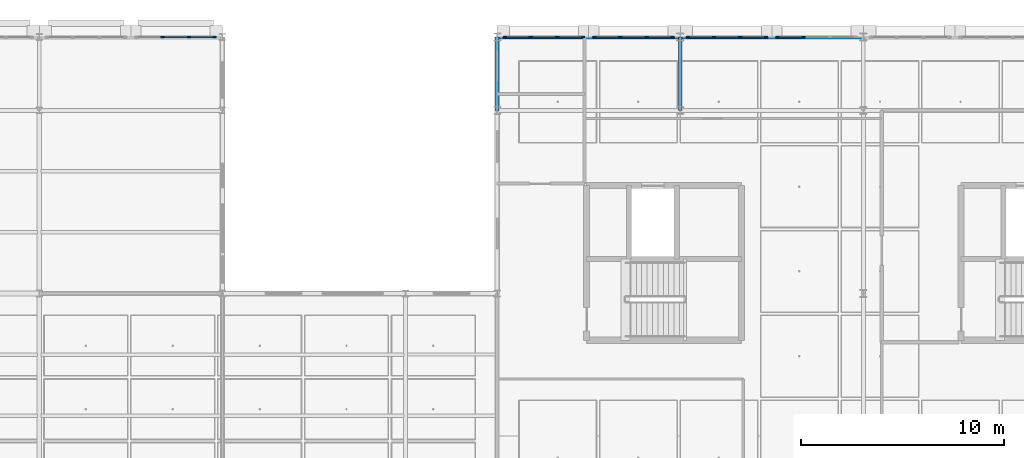
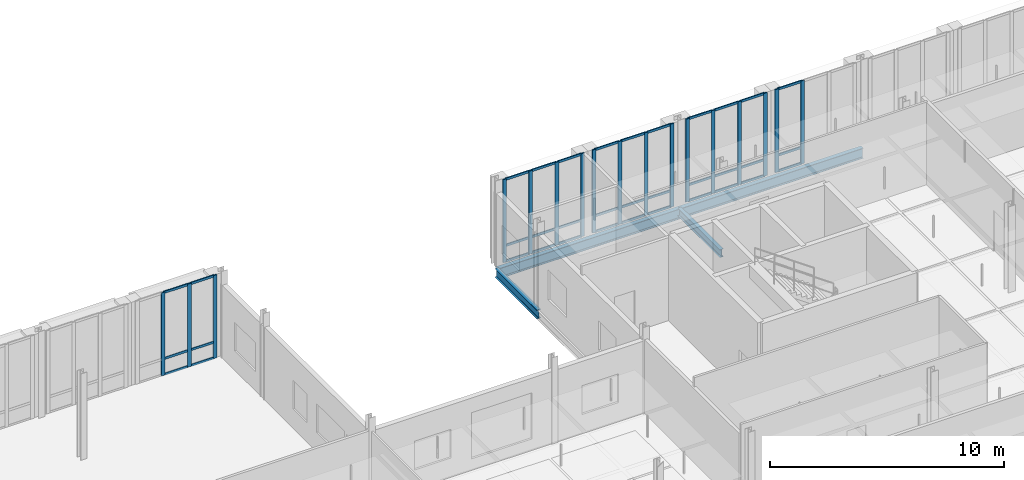
# One storey, part 45 of 130: 53 members, 4 beams, 5 elements without a shape of their own.
"""IFC4 building model written with IfcOpenShell, lengths in metres."""

from ifc_helpers import new_model, si_unit, direction, frame, origin, origin_2d, place, context, subcontext, project, spatial, rectangle, i_section, extrude, material, material_profile, profile_set, type_object, element, aggregate, save


model = new_model("IFC4")

# Units and contexts
model_context = context("Model", 3, precision=1e-05, world=origin(), true_north=direction((0.0, 1.0)))
body_context = subcontext(model_context, "Body", "Model", "MODEL_VIEW")
ifc_project = project(units=[si_unit("LENGTHUNIT", "METRE"), si_unit("AREAUNIT", "SQUARE_METRE"), si_unit("VOLUMEUNIT", "CUBIC_METRE"), si_unit("PLANEANGLEUNIT", "RADIAN"), si_unit("MASSUNIT", "GRAM", prefix="KILO"), si_unit("THERMODYNAMICTEMPERATUREUNIT", "KELVIN"), si_unit("POWERUNIT", "WATT")], contexts=[model_context])

# Site, building, storey
site_placement = place(None, origin())
site = spatial("IfcSite", under=ifc_project, at=site_placement, CompositionType="ELEMENT")
building_placement = place(site_placement, origin())
building = spatial("IfcBuilding", under=site, at=building_placement, Name="Tallowbark Science Centre", CompositionType="ELEMENT")
storey_placement = place(building_placement, frame((0.0, 0.0, 5.39990234375)))
storey = spatial("IfcBuildingStorey", under=building, at=storey_placement, Name="L01", CompositionType="ELEMENT", Elevation=5.39990234375)

# Beam
ifc_material_1 = material(Name="Structural Steel Grade 300PLUS (300 MPa)", Category="steel")
ifc_material_profile_1 = material_profile(ifc_material_1, i_section(OverallWidth=0.177734375, OverallDepth=0.406494140625, WebThickness=0.0078125, FlangeThickness=0.0126953125, FilletRadius=0.011474609375, at=origin_2d()), Name="410UB59.7")
ifc_profile_set_1 = profile_set([ifc_material_profile_1], Name="Structural Steel Grade 300PLUS (300 MPa)")
beam_type_1 = type_object("IfcBeamType", Name="BM-UB410", PredefinedType="BEAM", material=ifc_profile_set_1)
beam_1_placement = place(storey_placement, frame((121.5, 108.0, -0.383056640625), z_axis=(0.0, 1.0, 0.0), x_axis=(-1.0, 0.0, 0.0)))
element("IfcBeam", 1, at=beam_1_placement, inside=storey, type_object=beam_type_1, Name="Primary Girder GRDY-L01-1215-1080-1116", PredefinedType="BEAM", context=body_context, shape_type="SweptSolid", body=[
    extrude(i_section(OverallWidth=0.177734375, OverallDepth=0.406494140625, WebThickness=0.0078125, FlangeThickness=0.0126953125, FilletRadius=0.011474609375, at=origin_2d()), origin(), (0.0, 0.0, 1.0), 3.60009765625),
])

# Curtain wall, members
ifc_material_2 = material(Name="Unitised Thermally Broken Aluminium and Low-E Double Glazing", Category="aluminium")
curtain_wall_type = type_object("IfcCurtainWallType", Name="CW-SYS-FACADE", PredefinedType="NOTDEFINED", material=ifc_material_2)
curtain_wall_1_placement = place(storey_placement, origin())
curtain_wall_1 = element("IfcCurtainWall", 2, at=curtain_wall_1_placement, inside=storey, type_object=curtain_wall_type, Name="Unitised Curtain Wall CAF-N-90A CW-L01-057", PredefinedType="NOTDEFINED")
ifc_material_3 = material(Name="Anodised Architectural Aluminium Alloy 6063-T6", Category="aluminium")
ifc_material_profile_2 = material_profile(ifc_material_3, rectangle(XDim=0.06494140625, YDim=0.179931640625, at=origin_2d()), Name="ALU65x180")
ifc_profile_set_2 = profile_set([ifc_material_profile_2], Name="Anodised Architectural Aluminium Alloy 6063-T6")
member_type_1 = type_object("IfcMemberType", Name="CWM-MUL-220", PredefinedType="MULLION", material=ifc_profile_set_2)
member_1_placement = place(storey_placement, frame((98.617431640625, 111.60009765625, 0.0), z_axis=(0.0, 0.0, 1.0), x_axis=(0.0, -1.0, 0.0)))
member_1 = element("IfcMember", 3, at=member_1_placement, type_object=member_type_1, Name="CW-01 mullion 1", PredefinedType="MULLION", context=body_context, shape_type="SweptSolid", body=[
    extrude(rectangle(XDim=0.06494140625, YDim=0.179931640625, at=origin_2d()), origin(), (0.0, 0.0, 1.0), 4.320068359375),
])
member_2_placement = place(storey_placement, frame((97.35009765625, 111.60009765625, 0.0), z_axis=(0.0, 0.0, 1.0), x_axis=(0.0, -1.0, 0.0)))
member_2 = element("IfcMember", 4, at=member_2_placement, type_object=member_type_1, Name="CW-01 mullion 2", PredefinedType="MULLION", context=body_context, shape_type="SweptSolid", body=[
    extrude(rectangle(XDim=0.06494140625, YDim=0.179931640625, at=origin_2d()), origin(), (0.0, 0.0, 1.0), 4.320068359375),
])
member_3_placement = place(storey_placement, frame((96.050048828125, 111.60009765625, 0.0), z_axis=(0.0, 0.0, 1.0), x_axis=(0.0, -1.0, 0.0)))
member_3 = element("IfcMember", 5, at=member_3_placement, type_object=member_type_1, Name="CW-01 mullion 3", PredefinedType="MULLION", context=body_context, shape_type="SweptSolid", body=[
    extrude(rectangle(XDim=0.06494140625, YDim=0.179931640625, at=origin_2d()), origin(), (0.0, 0.0, 1.0), 4.320068359375),
])

curtain_wall_2_placement = place(storey_placement, origin())
curtain_wall_2 = element("IfcCurtainWall", 6, at=curtain_wall_2_placement, inside=storey, type_object=curtain_wall_type, Name="Unitised Curtain Wall OBS-N-112A CW-L01-114", PredefinedType="NOTDEFINED")
member_4_placement = place(storey_placement, frame((121.117431640625, 111.60009765625, 0.0), z_axis=(0.0, 0.0, 1.0), x_axis=(0.0, -1.0, 0.0)))
member_4 = element("IfcMember", 7, at=member_4_placement, type_object=member_type_1, Name="CW-01 mullion 1", PredefinedType="MULLION", context=body_context, shape_type="SweptSolid", body=[
    extrude(rectangle(XDim=0.06494140625, YDim=0.179931640625, at=origin_2d()), origin(), (0.0, 0.0, 1.0), 4.320068359375),
])
member_5_placement = place(storey_placement, frame((119.85009765625, 111.60009765625, 0.0), z_axis=(0.0, 0.0, 1.0), x_axis=(0.0, -1.0, 0.0)))
member_5 = element("IfcMember", 8, at=member_5_placement, type_object=member_type_1, Name="CW-01 mullion 2", PredefinedType="MULLION", context=body_context, shape_type="SweptSolid", body=[
    extrude(rectangle(XDim=0.06494140625, YDim=0.179931640625, at=origin_2d()), origin(), (0.0, 0.0, 1.0), 4.320068359375),
])
member_6_placement = place(storey_placement, frame((118.550048828125, 111.60009765625, 0.0), z_axis=(0.0, 0.0, 1.0), x_axis=(0.0, -1.0, 0.0)))
member_6 = element("IfcMember", 9, at=member_6_placement, type_object=member_type_1, Name="CW-01 mullion 3", PredefinedType="MULLION", context=body_context, shape_type="SweptSolid", body=[
    extrude(rectangle(XDim=0.06494140625, YDim=0.179931640625, at=origin_2d()), origin(), (0.0, 0.0, 1.0), 4.320068359375),
])
member_7_placement = place(storey_placement, frame((117.282470703125, 111.60009765625, 0.0), z_axis=(0.0, 0.0, 1.0), x_axis=(0.0, -1.0, 0.0)))
member_7 = element("IfcMember", 10, at=member_7_placement, type_object=member_type_1, Name="CW-01 mullion 4", PredefinedType="MULLION", context=body_context, shape_type="SweptSolid", body=[
    extrude(rectangle(XDim=0.06494140625, YDim=0.179931640625, at=origin_2d()), origin(), (0.0, 0.0, 1.0), 4.320068359375),
])

curtain_wall_3_placement = place(storey_placement, origin())
curtain_wall_3 = element("IfcCurtainWall", 11, at=curtain_wall_3_placement, inside=storey, type_object=curtain_wall_type, Name="Unitised Curtain Wall OBS-N-112B CW-L01-115", PredefinedType="NOTDEFINED")
member_8_placement = place(storey_placement, frame((116.717529296875, 111.60009765625, 0.0), z_axis=(0.0, 0.0, 1.0), x_axis=(0.0, -1.0, 0.0)))
member_8 = element("IfcMember", 12, at=member_8_placement, type_object=member_type_1, Name="CW-01 mullion 1", PredefinedType="MULLION", context=body_context, shape_type="SweptSolid", body=[
    extrude(rectangle(XDim=0.06494140625, YDim=0.179931640625, at=origin_2d()), origin(), (0.0, 0.0, 1.0), 4.320068359375),
])
member_9_placement = place(storey_placement, frame((115.449951171875, 111.60009765625, 0.0), z_axis=(0.0, 0.0, 1.0), x_axis=(0.0, -1.0, 0.0)))
member_9 = element("IfcMember", 13, at=member_9_placement, type_object=member_type_1, Name="CW-01 mullion 2", PredefinedType="MULLION", context=body_context, shape_type="SweptSolid", body=[
    extrude(rectangle(XDim=0.06494140625, YDim=0.179931640625, at=origin_2d()), origin(), (0.0, 0.0, 1.0), 4.320068359375),
])
member_10_placement = place(storey_placement, frame((114.14990234375, 111.60009765625, 0.0), z_axis=(0.0, 0.0, 1.0), x_axis=(0.0, -1.0, 0.0)))
member_10 = element("IfcMember", 14, at=member_10_placement, type_object=member_type_1, Name="CW-01 mullion 3", PredefinedType="MULLION", context=body_context, shape_type="SweptSolid", body=[
    extrude(rectangle(XDim=0.06494140625, YDim=0.179931640625, at=origin_2d()), origin(), (0.0, 0.0, 1.0), 4.320068359375),
])
member_11_placement = place(storey_placement, frame((112.882568359375, 111.60009765625, 0.0), z_axis=(0.0, 0.0, 1.0), x_axis=(0.0, -1.0, 0.0)))
member_11 = element("IfcMember", 15, at=member_11_placement, type_object=member_type_1, Name="CW-01 mullion 4", PredefinedType="MULLION", context=body_context, shape_type="SweptSolid", body=[
    extrude(rectangle(XDim=0.06494140625, YDim=0.179931640625, at=origin_2d()), origin(), (0.0, 0.0, 1.0), 4.320068359375),
])

curtain_wall_4_placement = place(storey_placement, origin())
curtain_wall_4 = element("IfcCurtainWall", 16, at=curtain_wall_4_placement, inside=storey, type_object=curtain_wall_type, Name="Unitised Curtain Wall OBS-N-121A CW-L01-118", PredefinedType="NOTDEFINED")
member_12_placement = place(storey_placement, frame((127.550048828125, 111.60009765625, 0.0), z_axis=(0.0, 0.0, 1.0), x_axis=(0.0, -1.0, 0.0)))
member_12 = element("IfcMember", 17, at=member_12_placement, type_object=member_type_1, Name="CW-01 mullion 3", PredefinedType="MULLION", context=body_context, shape_type="SweptSolid", body=[
    extrude(rectangle(XDim=0.06494140625, YDim=0.179931640625, at=origin_2d()), origin(), (0.0, 0.0, 1.0), 4.320068359375),
])
member_13_placement = place(storey_placement, frame((126.282470703125, 111.60009765625, 0.0), z_axis=(0.0, 0.0, 1.0), x_axis=(0.0, -1.0, 0.0)))
member_13 = element("IfcMember", 18, at=member_13_placement, type_object=member_type_1, Name="CW-01 mullion 4", PredefinedType="MULLION", context=body_context, shape_type="SweptSolid", body=[
    extrude(rectangle(XDim=0.06494140625, YDim=0.179931640625, at=origin_2d()), origin(), (0.0, 0.0, 1.0), 4.320068359375),
])

curtain_wall_5_placement = place(storey_placement, origin())
curtain_wall_5 = element("IfcCurtainWall", 19, at=curtain_wall_5_placement, inside=storey, type_object=curtain_wall_type, Name="Unitised Curtain Wall OBS-N-121B CW-L01-119", PredefinedType="NOTDEFINED")
member_14_placement = place(storey_placement, frame((125.717529296875, 111.60009765625, 0.0), z_axis=(0.0, 0.0, 1.0), x_axis=(0.0, -1.0, 0.0)))
member_14 = element("IfcMember", 20, at=member_14_placement, type_object=member_type_1, Name="CW-01 mullion 1", PredefinedType="MULLION", context=body_context, shape_type="SweptSolid", body=[
    extrude(rectangle(XDim=0.06494140625, YDim=0.179931640625, at=origin_2d()), origin(), (0.0, 0.0, 1.0), 4.320068359375),
])
member_15_placement = place(storey_placement, frame((124.449951171875, 111.60009765625, 0.0), z_axis=(0.0, 0.0, 1.0), x_axis=(0.0, -1.0, 0.0)))
member_15 = element("IfcMember", 21, at=member_15_placement, type_object=member_type_1, Name="CW-01 mullion 2", PredefinedType="MULLION", context=body_context, shape_type="SweptSolid", body=[
    extrude(rectangle(XDim=0.06494140625, YDim=0.179931640625, at=origin_2d()), origin(), (0.0, 0.0, 1.0), 4.320068359375),
])
member_16_placement = place(storey_placement, frame((123.14990234375, 111.60009765625, 0.0), z_axis=(0.0, 0.0, 1.0), x_axis=(0.0, -1.0, 0.0)))
member_16 = element("IfcMember", 22, at=member_16_placement, type_object=member_type_1, Name="CW-01 mullion 3", PredefinedType="MULLION", context=body_context, shape_type="SweptSolid", body=[
    extrude(rectangle(XDim=0.06494140625, YDim=0.179931640625, at=origin_2d()), origin(), (0.0, 0.0, 1.0), 4.320068359375),
])
member_17_placement = place(storey_placement, frame((121.882568359375, 111.60009765625, 0.0), z_axis=(0.0, 0.0, 1.0), x_axis=(0.0, -1.0, 0.0)))
member_17 = element("IfcMember", 23, at=member_17_placement, type_object=member_type_1, Name="CW-01 mullion 4", PredefinedType="MULLION", context=body_context, shape_type="SweptSolid", body=[
    extrude(rectangle(XDim=0.06494140625, YDim=0.179931640625, at=origin_2d()), origin(), (0.0, 0.0, 1.0), 4.320068359375),
])

# Member
ifc_material_profile_3 = material_profile(ifc_material_3, rectangle(XDim=0.054931640625, YDim=0.1201171875, at=origin_2d()), Name="ALU55x120")
ifc_profile_set_3 = profile_set([ifc_material_profile_3], Name="Anodised Architectural Aluminium Alloy 6063-T6")
member_type_2 = type_object("IfcMemberType", Name="CWM-TRN-150", PredefinedType="USERDEFINED", material=ifc_profile_set_3)
member_18_placement = place(storey_placement, frame((98.5849609375, 111.60009765625, 0.027587890625), z_axis=(-1.0, 0.0, 0.0), x_axis=(0.0, -1.0, 0.0)))
member_18 = element("IfcMember", 24, at=member_18_placement, type_object=member_type_2, Name="CW-01 transom 1.1", ObjectType="TRANSOM", PredefinedType="USERDEFINED", context=body_context, shape_type="SweptSolid", body=[
    extrude(rectangle(XDim=0.054931640625, YDim=0.1201171875, at=origin_2d()), origin(), (0.0, 0.0, 1.0), 1.202392578125),
])

member_19_placement = place(storey_placement, frame((98.5849609375, 111.60009765625, 0.85009765625), z_axis=(-1.0, 0.0, 0.0), x_axis=(0.0, -1.0, 0.0)))
member_19 = element("IfcMember", 25, at=member_19_placement, type_object=member_type_2, Name="CW-01 transom 1.2", ObjectType="TRANSOM", PredefinedType="USERDEFINED", context=body_context, shape_type="SweptSolid", body=[
    extrude(rectangle(XDim=0.054931640625, YDim=0.1201171875, at=origin_2d()), origin(), (0.0, 0.0, 1.0), 1.202392578125),
])

member_20_placement = place(storey_placement, frame((98.5849609375, 111.60009765625, 4.29248046875), z_axis=(-1.0, 0.0, 0.0), x_axis=(0.0, -1.0, 0.0)))
member_20 = element("IfcMember", 26, at=member_20_placement, type_object=member_type_2, Name="CW-01 transom 1.3", ObjectType="TRANSOM", PredefinedType="USERDEFINED", context=body_context, shape_type="SweptSolid", body=[
    extrude(rectangle(XDim=0.054931640625, YDim=0.1201171875, at=origin_2d()), origin(), (0.0, 0.0, 1.0), 1.202392578125),
])

member_21_placement = place(storey_placement, frame((97.3173828125, 111.60009765625, 0.027587890625), z_axis=(-1.0, 0.0, 0.0), x_axis=(0.0, -1.0, 0.0)))
member_21 = element("IfcMember", 27, at=member_21_placement, type_object=member_type_2, Name="CW-01 transom 2.1", ObjectType="TRANSOM", PredefinedType="USERDEFINED", context=body_context, shape_type="SweptSolid", body=[
    extrude(rectangle(XDim=0.054931640625, YDim=0.1201171875, at=origin_2d()), origin(), (0.0, 0.0, 1.0), 1.23486328125),
])

member_22_placement = place(storey_placement, frame((97.3173828125, 111.60009765625, 0.85009765625), z_axis=(-1.0, 0.0, 0.0), x_axis=(0.0, -1.0, 0.0)))
member_22 = element("IfcMember", 28, at=member_22_placement, type_object=member_type_2, Name="CW-01 transom 2.2", ObjectType="TRANSOM", PredefinedType="USERDEFINED", context=body_context, shape_type="SweptSolid", body=[
    extrude(rectangle(XDim=0.054931640625, YDim=0.1201171875, at=origin_2d()), origin(), (0.0, 0.0, 1.0), 1.23486328125),
])

member_23_placement = place(storey_placement, frame((97.3173828125, 111.60009765625, 4.29248046875), z_axis=(-1.0, 0.0, 0.0), x_axis=(0.0, -1.0, 0.0)))
member_23 = element("IfcMember", 29, at=member_23_placement, type_object=member_type_2, Name="CW-01 transom 2.3", ObjectType="TRANSOM", PredefinedType="USERDEFINED", context=body_context, shape_type="SweptSolid", body=[
    extrude(rectangle(XDim=0.054931640625, YDim=0.1201171875, at=origin_2d()), origin(), (0.0, 0.0, 1.0), 1.23486328125),
])

aggregate(curtain_wall_1, [member_1, member_2, member_3, member_18, member_19, member_20, member_21, member_22, member_23])

member_24_placement = place(storey_placement, frame((121.0849609375, 111.60009765625, 0.027587890625), z_axis=(-1.0, 0.0, 0.0), x_axis=(0.0, -1.0, 0.0)))
member_24 = element("IfcMember", 30, at=member_24_placement, type_object=member_type_2, Name="CW-01 transom 1.1", ObjectType="TRANSOM", PredefinedType="USERDEFINED", context=body_context, shape_type="SweptSolid", body=[
    extrude(rectangle(XDim=0.054931640625, YDim=0.1201171875, at=origin_2d()), origin(), (0.0, 0.0, 1.0), 1.202392578125),
])

member_25_placement = place(storey_placement, frame((121.0849609375, 111.60009765625, 0.85009765625), z_axis=(-1.0, 0.0, 0.0), x_axis=(0.0, -1.0, 0.0)))
member_25 = element("IfcMember", 31, at=member_25_placement, type_object=member_type_2, Name="CW-01 transom 1.2", ObjectType="TRANSOM", PredefinedType="USERDEFINED", context=body_context, shape_type="SweptSolid", body=[
    extrude(rectangle(XDim=0.054931640625, YDim=0.1201171875, at=origin_2d()), origin(), (0.0, 0.0, 1.0), 1.202392578125),
])

member_26_placement = place(storey_placement, frame((121.0849609375, 111.60009765625, 4.29248046875), z_axis=(-1.0, 0.0, 0.0), x_axis=(0.0, -1.0, 0.0)))
member_26 = element("IfcMember", 32, at=member_26_placement, type_object=member_type_2, Name="CW-01 transom 1.3", ObjectType="TRANSOM", PredefinedType="USERDEFINED", context=body_context, shape_type="SweptSolid", body=[
    extrude(rectangle(XDim=0.054931640625, YDim=0.1201171875, at=origin_2d()), origin(), (0.0, 0.0, 1.0), 1.202392578125),
])

member_27_placement = place(storey_placement, frame((119.8173828125, 111.60009765625, 0.027587890625), z_axis=(-1.0, 0.0, 0.0), x_axis=(0.0, -1.0, 0.0)))
member_27 = element("IfcMember", 33, at=member_27_placement, type_object=member_type_2, Name="CW-01 transom 2.1", ObjectType="TRANSOM", PredefinedType="USERDEFINED", context=body_context, shape_type="SweptSolid", body=[
    extrude(rectangle(XDim=0.054931640625, YDim=0.1201171875, at=origin_2d()), origin(), (0.0, 0.0, 1.0), 1.23486328125),
])

member_28_placement = place(storey_placement, frame((119.8173828125, 111.60009765625, 0.85009765625), z_axis=(-1.0, 0.0, 0.0), x_axis=(0.0, -1.0, 0.0)))
member_28 = element("IfcMember", 34, at=member_28_placement, type_object=member_type_2, Name="CW-01 transom 2.2", ObjectType="TRANSOM", PredefinedType="USERDEFINED", context=body_context, shape_type="SweptSolid", body=[
    extrude(rectangle(XDim=0.054931640625, YDim=0.1201171875, at=origin_2d()), origin(), (0.0, 0.0, 1.0), 1.23486328125),
])

member_29_placement = place(storey_placement, frame((119.8173828125, 111.60009765625, 4.29248046875), z_axis=(-1.0, 0.0, 0.0), x_axis=(0.0, -1.0, 0.0)))
member_29 = element("IfcMember", 35, at=member_29_placement, type_object=member_type_2, Name="CW-01 transom 2.3", ObjectType="TRANSOM", PredefinedType="USERDEFINED", context=body_context, shape_type="SweptSolid", body=[
    extrude(rectangle(XDim=0.054931640625, YDim=0.1201171875, at=origin_2d()), origin(), (0.0, 0.0, 1.0), 1.23486328125),
])

member_30_placement = place(storey_placement, frame((118.517578125, 111.60009765625, 0.027587890625), z_axis=(-1.0, 0.0, 0.0), x_axis=(0.0, -1.0, 0.0)))
member_30 = element("IfcMember", 36, at=member_30_placement, type_object=member_type_2, Name="CW-01 transom 3.1", ObjectType="TRANSOM", PredefinedType="USERDEFINED", context=body_context, shape_type="SweptSolid", body=[
    extrude(rectangle(XDim=0.054931640625, YDim=0.1201171875, at=origin_2d()), origin(), (0.0, 0.0, 1.0), 1.20263671875),
])

member_31_placement = place(storey_placement, frame((118.517578125, 111.60009765625, 0.85009765625), z_axis=(-1.0, 0.0, 0.0), x_axis=(0.0, -1.0, 0.0)))
member_31 = element("IfcMember", 37, at=member_31_placement, type_object=member_type_2, Name="CW-01 transom 3.2", ObjectType="TRANSOM", PredefinedType="USERDEFINED", context=body_context, shape_type="SweptSolid", body=[
    extrude(rectangle(XDim=0.054931640625, YDim=0.1201171875, at=origin_2d()), origin(), (0.0, 0.0, 1.0), 1.20263671875),
])

member_32_placement = place(storey_placement, frame((118.517578125, 111.60009765625, 4.29248046875), z_axis=(-1.0, 0.0, 0.0), x_axis=(0.0, -1.0, 0.0)))
member_32 = element("IfcMember", 38, at=member_32_placement, type_object=member_type_2, Name="CW-01 transom 3.3", ObjectType="TRANSOM", PredefinedType="USERDEFINED", context=body_context, shape_type="SweptSolid", body=[
    extrude(rectangle(XDim=0.054931640625, YDim=0.1201171875, at=origin_2d()), origin(), (0.0, 0.0, 1.0), 1.20263671875),
])

aggregate(curtain_wall_2, [member_4, member_5, member_6, member_7, member_24, member_25, member_26, member_27, member_28, member_29, member_30, member_31, member_32])

member_33_placement = place(storey_placement, frame((116.68505859375, 111.60009765625, 0.027587890625), z_axis=(-1.0, 0.0, 0.0), x_axis=(0.0, -1.0, 0.0)))
member_33 = element("IfcMember", 39, at=member_33_placement, type_object=member_type_2, Name="CW-01 transom 1.1", ObjectType="TRANSOM", PredefinedType="USERDEFINED", context=body_context, shape_type="SweptSolid", body=[
    extrude(rectangle(XDim=0.054931640625, YDim=0.1201171875, at=origin_2d()), origin(), (0.0, 0.0, 1.0), 1.20263671875),
])

member_34_placement = place(storey_placement, frame((116.68505859375, 111.60009765625, 0.85009765625), z_axis=(-1.0, 0.0, 0.0), x_axis=(0.0, -1.0, 0.0)))
member_34 = element("IfcMember", 40, at=member_34_placement, type_object=member_type_2, Name="CW-01 transom 1.2", ObjectType="TRANSOM", PredefinedType="USERDEFINED", context=body_context, shape_type="SweptSolid", body=[
    extrude(rectangle(XDim=0.054931640625, YDim=0.1201171875, at=origin_2d()), origin(), (0.0, 0.0, 1.0), 1.20263671875),
])

member_35_placement = place(storey_placement, frame((116.68505859375, 111.60009765625, 4.29248046875), z_axis=(-1.0, 0.0, 0.0), x_axis=(0.0, -1.0, 0.0)))
member_35 = element("IfcMember", 41, at=member_35_placement, type_object=member_type_2, Name="CW-01 transom 1.3", ObjectType="TRANSOM", PredefinedType="USERDEFINED", context=body_context, shape_type="SweptSolid", body=[
    extrude(rectangle(XDim=0.054931640625, YDim=0.1201171875, at=origin_2d()), origin(), (0.0, 0.0, 1.0), 1.20263671875),
])

member_36_placement = place(storey_placement, frame((115.41748046875, 111.60009765625, 0.027587890625), z_axis=(-1.0, 0.0, 0.0), x_axis=(0.0, -1.0, 0.0)))
member_36 = element("IfcMember", 42, at=member_36_placement, type_object=member_type_2, Name="CW-01 transom 2.1", ObjectType="TRANSOM", PredefinedType="USERDEFINED", context=body_context, shape_type="SweptSolid", body=[
    extrude(rectangle(XDim=0.054931640625, YDim=0.1201171875, at=origin_2d()), origin(), (0.0, 0.0, 1.0), 1.23486328125),
])

member_37_placement = place(storey_placement, frame((115.41748046875, 111.60009765625, 0.85009765625), z_axis=(-1.0, 0.0, 0.0), x_axis=(0.0, -1.0, 0.0)))
member_37 = element("IfcMember", 43, at=member_37_placement, type_object=member_type_2, Name="CW-01 transom 2.2", ObjectType="TRANSOM", PredefinedType="USERDEFINED", context=body_context, shape_type="SweptSolid", body=[
    extrude(rectangle(XDim=0.054931640625, YDim=0.1201171875, at=origin_2d()), origin(), (0.0, 0.0, 1.0), 1.23486328125),
])

member_38_placement = place(storey_placement, frame((115.41748046875, 111.60009765625, 4.29248046875), z_axis=(-1.0, 0.0, 0.0), x_axis=(0.0, -1.0, 0.0)))
member_38 = element("IfcMember", 44, at=member_38_placement, type_object=member_type_2, Name="CW-01 transom 2.3", ObjectType="TRANSOM", PredefinedType="USERDEFINED", context=body_context, shape_type="SweptSolid", body=[
    extrude(rectangle(XDim=0.054931640625, YDim=0.1201171875, at=origin_2d()), origin(), (0.0, 0.0, 1.0), 1.23486328125),
])

member_39_placement = place(storey_placement, frame((114.117431640625, 111.60009765625, 0.027587890625), z_axis=(-1.0, 0.0, 0.0), x_axis=(0.0, -1.0, 0.0)))
member_39 = element("IfcMember", 45, at=member_39_placement, type_object=member_type_2, Name="CW-01 transom 3.1", ObjectType="TRANSOM", PredefinedType="USERDEFINED", context=body_context, shape_type="SweptSolid", body=[
    extrude(rectangle(XDim=0.054931640625, YDim=0.1201171875, at=origin_2d()), origin(), (0.0, 0.0, 1.0), 1.202392578125),
])

member_40_placement = place(storey_placement, frame((114.117431640625, 111.60009765625, 0.85009765625), z_axis=(-1.0, 0.0, 0.0), x_axis=(0.0, -1.0, 0.0)))
member_40 = element("IfcMember", 46, at=member_40_placement, type_object=member_type_2, Name="CW-01 transom 3.2", ObjectType="TRANSOM", PredefinedType="USERDEFINED", context=body_context, shape_type="SweptSolid", body=[
    extrude(rectangle(XDim=0.054931640625, YDim=0.1201171875, at=origin_2d()), origin(), (0.0, 0.0, 1.0), 1.202392578125),
])

member_41_placement = place(storey_placement, frame((114.117431640625, 111.60009765625, 4.29248046875), z_axis=(-1.0, 0.0, 0.0), x_axis=(0.0, -1.0, 0.0)))
member_41 = element("IfcMember", 47, at=member_41_placement, type_object=member_type_2, Name="CW-01 transom 3.3", ObjectType="TRANSOM", PredefinedType="USERDEFINED", context=body_context, shape_type="SweptSolid", body=[
    extrude(rectangle(XDim=0.054931640625, YDim=0.1201171875, at=origin_2d()), origin(), (0.0, 0.0, 1.0), 1.202392578125),
])

aggregate(curtain_wall_3, [member_8, member_9, member_10, member_11, member_33, member_34, member_35, member_36, member_37, member_38, member_39, member_40, member_41])

member_42_placement = place(storey_placement, frame((127.517578125, 111.60009765625, 0.027587890625), z_axis=(-1.0, 0.0, 0.0), x_axis=(0.0, -1.0, 0.0)))
member_42 = element("IfcMember", 48, at=member_42_placement, type_object=member_type_2, Name="CW-01 transom 3.1", ObjectType="TRANSOM", PredefinedType="USERDEFINED", context=body_context, shape_type="SweptSolid", body=[
    extrude(rectangle(XDim=0.054931640625, YDim=0.1201171875, at=origin_2d()), origin(), (0.0, 0.0, 1.0), 1.20263671875),
])

member_43_placement = place(storey_placement, frame((127.517578125, 111.60009765625, 0.85009765625), z_axis=(-1.0, 0.0, 0.0), x_axis=(0.0, -1.0, 0.0)))
member_43 = element("IfcMember", 49, at=member_43_placement, type_object=member_type_2, Name="CW-01 transom 3.2", ObjectType="TRANSOM", PredefinedType="USERDEFINED", context=body_context, shape_type="SweptSolid", body=[
    extrude(rectangle(XDim=0.054931640625, YDim=0.1201171875, at=origin_2d()), origin(), (0.0, 0.0, 1.0), 1.20263671875),
])

member_44_placement = place(storey_placement, frame((127.517578125, 111.60009765625, 4.29248046875), z_axis=(-1.0, 0.0, 0.0), x_axis=(0.0, -1.0, 0.0)))
member_44 = element("IfcMember", 50, at=member_44_placement, type_object=member_type_2, Name="CW-01 transom 3.3", ObjectType="TRANSOM", PredefinedType="USERDEFINED", context=body_context, shape_type="SweptSolid", body=[
    extrude(rectangle(XDim=0.054931640625, YDim=0.1201171875, at=origin_2d()), origin(), (0.0, 0.0, 1.0), 1.20263671875),
])

aggregate(curtain_wall_4, [member_12, member_13, member_42, member_43, member_44])

member_45_placement = place(storey_placement, frame((125.68505859375, 111.60009765625, 0.027587890625), z_axis=(-1.0, 0.0, 0.0), x_axis=(0.0, -1.0, 0.0)))
member_45 = element("IfcMember", 51, at=member_45_placement, type_object=member_type_2, Name="CW-01 transom 1.1", ObjectType="TRANSOM", PredefinedType="USERDEFINED", context=body_context, shape_type="SweptSolid", body=[
    extrude(rectangle(XDim=0.054931640625, YDim=0.1201171875, at=origin_2d()), origin(), (0.0, 0.0, 1.0), 1.20263671875),
])

member_46_placement = place(storey_placement, frame((125.68505859375, 111.60009765625, 0.85009765625), z_axis=(-1.0, 0.0, 0.0), x_axis=(0.0, -1.0, 0.0)))
member_46 = element("IfcMember", 52, at=member_46_placement, type_object=member_type_2, Name="CW-01 transom 1.2", ObjectType="TRANSOM", PredefinedType="USERDEFINED", context=body_context, shape_type="SweptSolid", body=[
    extrude(rectangle(XDim=0.054931640625, YDim=0.1201171875, at=origin_2d()), origin(), (0.0, 0.0, 1.0), 1.20263671875),
])

member_47_placement = place(storey_placement, frame((125.68505859375, 111.60009765625, 4.29248046875), z_axis=(-1.0, 0.0, 0.0), x_axis=(0.0, -1.0, 0.0)))
member_47 = element("IfcMember", 53, at=member_47_placement, type_object=member_type_2, Name="CW-01 transom 1.3", ObjectType="TRANSOM", PredefinedType="USERDEFINED", context=body_context, shape_type="SweptSolid", body=[
    extrude(rectangle(XDim=0.054931640625, YDim=0.1201171875, at=origin_2d()), origin(), (0.0, 0.0, 1.0), 1.20263671875),
])

member_48_placement = place(storey_placement, frame((124.41748046875, 111.60009765625, 0.027587890625), z_axis=(-1.0, 0.0, 0.0), x_axis=(0.0, -1.0, 0.0)))
member_48 = element("IfcMember", 54, at=member_48_placement, type_object=member_type_2, Name="CW-01 transom 2.1", ObjectType="TRANSOM", PredefinedType="USERDEFINED", context=body_context, shape_type="SweptSolid", body=[
    extrude(rectangle(XDim=0.054931640625, YDim=0.1201171875, at=origin_2d()), origin(), (0.0, 0.0, 1.0), 1.23486328125),
])

member_49_placement = place(storey_placement, frame((124.41748046875, 111.60009765625, 0.85009765625), z_axis=(-1.0, 0.0, 0.0), x_axis=(0.0, -1.0, 0.0)))
member_49 = element("IfcMember", 55, at=member_49_placement, type_object=member_type_2, Name="CW-01 transom 2.2", ObjectType="TRANSOM", PredefinedType="USERDEFINED", context=body_context, shape_type="SweptSolid", body=[
    extrude(rectangle(XDim=0.054931640625, YDim=0.1201171875, at=origin_2d()), origin(), (0.0, 0.0, 1.0), 1.23486328125),
])

member_50_placement = place(storey_placement, frame((124.41748046875, 111.60009765625, 4.29248046875), z_axis=(-1.0, 0.0, 0.0), x_axis=(0.0, -1.0, 0.0)))
member_50 = element("IfcMember", 56, at=member_50_placement, type_object=member_type_2, Name="CW-01 transom 2.3", ObjectType="TRANSOM", PredefinedType="USERDEFINED", context=body_context, shape_type="SweptSolid", body=[
    extrude(rectangle(XDim=0.054931640625, YDim=0.1201171875, at=origin_2d()), origin(), (0.0, 0.0, 1.0), 1.23486328125),
])

member_51_placement = place(storey_placement, frame((123.117431640625, 111.60009765625, 0.027587890625), z_axis=(-1.0, 0.0, 0.0), x_axis=(0.0, -1.0, 0.0)))
member_51 = element("IfcMember", 57, at=member_51_placement, type_object=member_type_2, Name="CW-01 transom 3.1", ObjectType="TRANSOM", PredefinedType="USERDEFINED", context=body_context, shape_type="SweptSolid", body=[
    extrude(rectangle(XDim=0.054931640625, YDim=0.1201171875, at=origin_2d()), origin(), (0.0, 0.0, 1.0), 1.202392578125),
])

member_52_placement = place(storey_placement, frame((123.117431640625, 111.60009765625, 0.85009765625), z_axis=(-1.0, 0.0, 0.0), x_axis=(0.0, -1.0, 0.0)))
member_52 = element("IfcMember", 58, at=member_52_placement, type_object=member_type_2, Name="CW-01 transom 3.2", ObjectType="TRANSOM", PredefinedType="USERDEFINED", context=body_context, shape_type="SweptSolid", body=[
    extrude(rectangle(XDim=0.054931640625, YDim=0.1201171875, at=origin_2d()), origin(), (0.0, 0.0, 1.0), 1.202392578125),
])

member_53_placement = place(storey_placement, frame((123.117431640625, 111.60009765625, 4.29248046875), z_axis=(-1.0, 0.0, 0.0), x_axis=(0.0, -1.0, 0.0)))
member_53 = element("IfcMember", 59, at=member_53_placement, type_object=member_type_2, Name="CW-01 transom 3.3", ObjectType="TRANSOM", PredefinedType="USERDEFINED", context=body_context, shape_type="SweptSolid", body=[
    extrude(rectangle(XDim=0.054931640625, YDim=0.1201171875, at=origin_2d()), origin(), (0.0, 0.0, 1.0), 1.202392578125),
])

aggregate(curtain_wall_5, [member_14, member_15, member_16, member_17, member_45, member_46, member_47, member_48, member_49, member_50, member_51, member_52, member_53])

# Beams
ifc_material_profile_4 = material_profile(ifc_material_1, i_section(OverallWidth=0.208984375, OverallDepth=0.532958984375, WebThickness=0.01025390625, FlangeThickness=0.015625, FilletRadius=0.013916015625, at=origin_2d()), Name="530UB92.4")
ifc_profile_set_4 = profile_set([ifc_material_profile_4], Name="Structural Steel Grade 300PLUS (300 MPa)")
beam_type_2 = type_object("IfcBeamType", Name="LNT-UB530", PredefinedType="LINTEL", material=ifc_profile_set_4)
for number, where, z_axis, x_axis, name in (
    (60, (112.5, 111.60009765625, -0.4462890625), (1.0, 0.0, 0.0), (0.0, 1.0, 0.0), "Primary Girder GRDX-L01-1125-1215-1116"),
    (61, (121.5, 111.60009765625, -0.4462890625), (1.0, 0.0, 0.0), (0.0, 1.0, 0.0), "Primary Girder GRDX-L01-1215-1305-1116"),
):
    element("IfcBeam", number, at=place(storey_placement, frame(where, z_axis=z_axis, x_axis=x_axis)), inside=storey, type_object=beam_type_2, Name=name, PredefinedType="LINTEL", context=body_context, shape_type="SweptSolid", body=[
        extrude(i_section(OverallWidth=0.208984375, OverallDepth=0.532958984375, WebThickness=0.01025390625, FlangeThickness=0.015625, FilletRadius=0.013916015625, at=origin_2d()), origin(), (0.0, 0.0, 1.0), 9.0),
    ])
ifc_material_profile_5 = material_profile(ifc_material_1, i_section(OverallWidth=0.18994140625, OverallDepth=0.453857421875, WebThickness=0.008544921875, FlangeThickness=0.0126953125, FilletRadius=0.011474609375, at=origin_2d()), Name="460UB67.1")
ifc_profile_set_5 = profile_set([ifc_material_profile_5], Name="Structural Steel Grade 300PLUS (300 MPa)")
beam_type_3 = type_object("IfcBeamType", Name="SPN-UB460", PredefinedType="SPANDREL", material=ifc_profile_set_5)
beam_2_placement = place(storey_placement, frame((112.5, 108.0, -0.40673828125), z_axis=(0.0, 1.0, 0.0), x_axis=(-1.0, 0.0, 0.0)))
element("IfcBeam", 62, at=beam_2_placement, inside=storey, type_object=beam_type_3, Name="Primary Girder GRDY-L01-1125-1080-1116", PredefinedType="SPANDREL", context=body_context, shape_type="SweptSolid", body=[
    extrude(i_section(OverallWidth=0.18994140625, OverallDepth=0.453857421875, WebThickness=0.008544921875, FlangeThickness=0.0126953125, FilletRadius=0.011474609375, at=origin_2d()), origin(), (0.0, 0.0, 1.0), 3.60009765625),
])

save(model, "model.ifc")
